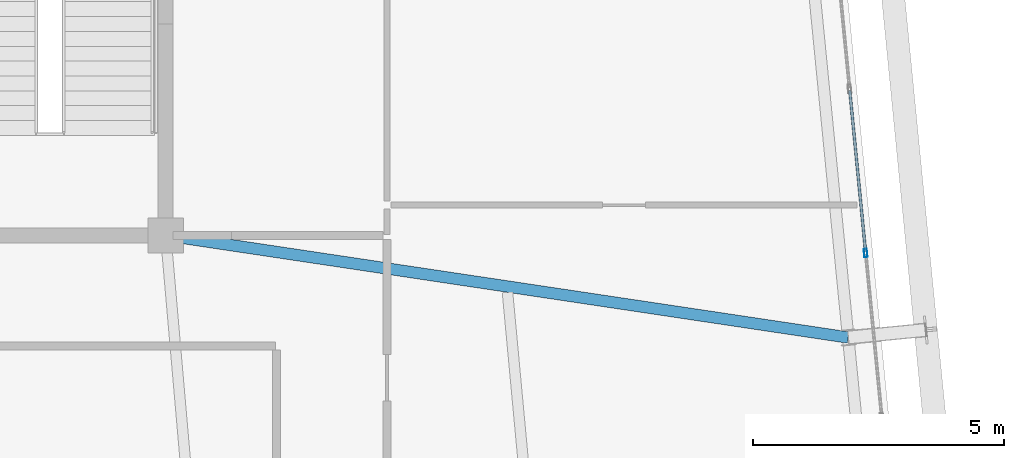
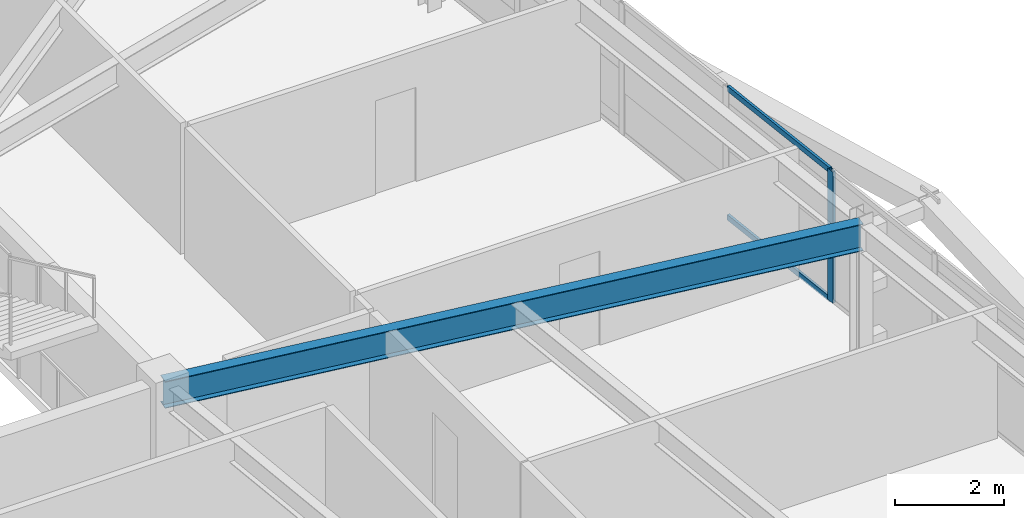
# One storey, part 25 of 52: 3 members, 1 beam, 1 element without a shape of its own.
"""IFC4 building model written with IfcOpenShell, lengths in metres."""

from ifc_helpers import new_model, si_unit, direction, frame, origin, origin_2d, place, context, subcontext, project, spatial, hollow_rectangle, i_section, extrude, source, transform, mapped, material, layer, layer_set, material_profile, profile_set, type_object, element, aggregate, save


model = new_model("IFC4")

# Units and contexts
model_context = context("Model", 3, precision=1e-05, world=origin(), true_north=direction((0.0, 1.0)))
body_context = subcontext(model_context, "Body", "Model", "MODEL_VIEW")
ifc_project = project(units=[si_unit("LENGTHUNIT", "METRE"), si_unit("AREAUNIT", "SQUARE_METRE"), si_unit("VOLUMEUNIT", "CUBIC_METRE"), si_unit("PLANEANGLEUNIT", "RADIAN"), si_unit("MASSUNIT", "GRAM", prefix="KILO")], contexts=[model_context])

# Site, building, storey
site_placement = place(None, origin())
site = spatial("IfcSite", under=ifc_project, at=site_placement, CompositionType="ELEMENT")
building_placement = place(site_placement, origin())
building = spatial("IfcBuilding", under=site, at=building_placement, Name="Taldren Reach Tower", CompositionType="ELEMENT")
storey_placement = place(building_placement, frame((0.0, 0.0, 74.550048828125)))
storey = spatial("IfcBuildingStorey", under=building, at=storey_placement, Name="L22", CompositionType="ELEMENT", Elevation=74.550048828125)

# Beam
ifc_material_1 = material(Name="Steel Gr 350 (350PLUS)", Category="steel")
ifc_material_profile_1 = material_profile(ifc_material_1, i_section(OverallWidth=0.22802734375, OverallDepth=0.60205078125, WebThickness=0.010498046875, FlangeThickness=0.014892578125, at=origin_2d()), Name="610UB101")
ifc_profile_set_1 = profile_set([ifc_material_profile_1], Name="Steel Gr 350 (350PLUS)")
beam_type = type_object("IfcBeamType", Name="BM-UB610B", PredefinedType="BEAM", material=ifc_profile_set_1)
shared_shape_1 = source(origin(), body_context, "Body", "SweptSolid", [
    extrude(i_section(OverallWidth=0.22802734375, OverallDepth=0.60205078125, WebThickness=0.010498046875, FlangeThickness=0.014892578125, at=origin_2d()), origin(), (0.0, 0.0, 1.0), 13.720703125),
])
beam_placement = place(storey_placement, frame((51.0, 24.0, 2.62890625), z_axis=(0.988983679407, -0.148024598856, 0.0), x_axis=(0.148024598856, 0.988983679407, 0.0)))
element("IfcBeam", 1, at=beam_placement, inside=storey, type_object=beam_type, Name="Primary floor girder B2-E2 L22", PredefinedType="BEAM", context=body_context, shape_type="MappedRepresentation", body=[
    mapped(shared_shape_1, transform((0.0, 0.0, 0.0), scale=1.0)),
])

# Curtain wall, members
ifc_material_2 = material(Name="Aluminium and Low-E Glass Unitised System", Category="aluminium")
ifc_layer = layer(ifc_material_2, 0.159912109375)
ifc_layer_set = layer_set([ifc_layer], Name="Aluminium and Low-E Glass Unitised System")
curtain_wall_type = type_object("IfcCurtainWallType", Name="CW-SYS-3", PredefinedType="NOTDEFINED", material=ifc_layer_set)
curtain_wall_placement = place(storey_placement, origin())
curtain_wall = element("IfcCurtainWall", 2, at=curtain_wall_placement, inside=storey, type_object=curtain_wall_type, Name="Unitised curtain wall CW-L22-E", PredefinedType="NOTDEFINED")
ifc_material_3 = material(Name="Anodised Aluminium 6063-T6", Category="aluminium")
ifc_material_profile_2 = material_profile(ifc_material_3, hollow_rectangle(XDim=0.06494140625, YDim=0.1650390625, WallThickness=0.00390625, at=origin_2d()), Name="ALU-165x65x4RHS")
ifc_profile_set_2 = profile_set([ifc_material_profile_2], Name="Anodised Aluminium 6063-T6")
member_type_1 = type_object("IfcMemberType", Name="CW-MUL-165", PredefinedType="MULLION", material=ifc_profile_set_2)
shared_shape_2 = source(origin(), body_context, "Body", "SweptSolid", [
    extrude(hollow_rectangle(XDim=0.06494140625, YDim=0.1650390625, WallThickness=0.00390625, at=origin_2d()), origin(), (0.0, 0.0, 1.0), 2.929931640625),
])
member_1_placement = place(storey_placement, frame((64.9169921875, 23.649658203125, 0.0), z_axis=(0.0, 0.0, 1.0), x_axis=(-0.99522741555, -0.09758274098, 0.0)))
member_1 = element("IfcMember", 3, at=member_1_placement, type_object=member_type_1, Name="CW-3 mullion 6", PredefinedType="MULLION", context=body_context, shape_type="MappedRepresentation", body=[
    mapped(shared_shape_2, transform((0.0, 0.0, 0.0), scale=1.0)),
])
ifc_material_profile_3 = material_profile(ifc_material_3, hollow_rectangle(XDim=0.054931640625, YDim=0.1201171875, WallThickness=0.0029296875, at=origin_2d()), Name="ALU-120x55x3RHS")
ifc_profile_set_3 = profile_set([ifc_material_profile_3], Name="Anodised Aluminium 6063-T6")
member_type_2 = type_object("IfcMemberType", Name="CW-TRN-135", PredefinedType="USERDEFINED", material=ifc_profile_set_3)
shared_shape_3 = source(origin(), body_context, "Body", "SweptSolid", [
    extrude(hollow_rectangle(XDim=0.054931640625, YDim=0.1201171875, WallThickness=0.0029296875, at=origin_2d()), origin(), (0.0, 0.0, 1.0), 3.212646484375),
])
member_2_placement = place(storey_placement, frame((64.913818359375, 23.68212890625, 0.02734375), z_axis=(-0.097577327663, 0.995227946315, 0.0), x_axis=(-0.995227946315, -0.097577327663, 0.0)))
member_2 = element("IfcMember", 4, at=member_2_placement, type_object=member_type_2, Name="CW-3 transom 6.1", ObjectType="TRANSOM", PredefinedType="USERDEFINED", context=body_context, shape_type="MappedRepresentation", body=[
    mapped(shared_shape_3, transform((0.0, 0.0, 0.0), scale=1.0)),
])
member_3_placement = place(storey_placement, frame((64.913818359375, 23.68212890625, 2.90234375), z_axis=(-0.097577327663, 0.995227946315, 0.0), x_axis=(-0.995227946315, -0.097577327663, 0.0)))
member_3 = element("IfcMember", 5, at=member_3_placement, type_object=member_type_2, Name="CW-3 transom 6.2", ObjectType="TRANSOM", PredefinedType="USERDEFINED", context=body_context, shape_type="MappedRepresentation", body=[
    mapped(shared_shape_3, transform((0.0, 0.0, 0.0), scale=1.0)),
])
aggregate(curtain_wall, [member_1, member_2, member_3])

save(model, "model.ifc")
